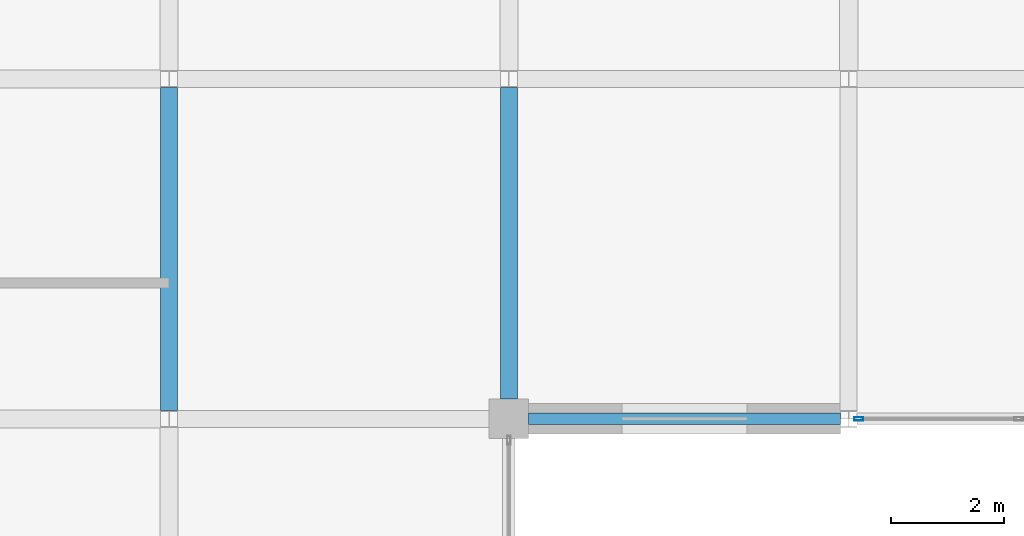
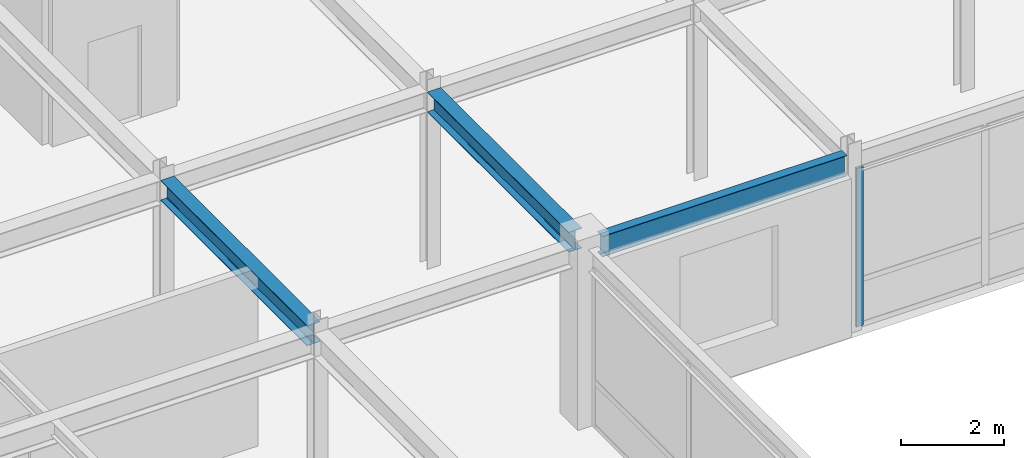
# One storey, part 31 of 108: 3 beams, 1 member, 1 element without a shape of its own.
"""IFC4 building model written with IfcOpenShell, lengths in metres."""

from ifc_helpers import new_model, si_unit, direction, frame, origin, origin_2d, place, context, subcontext, project, spatial, hollow_rectangle, i_section, extrude, material, layer, layer_set, material_profile, profile_set, type_object, element, aggregate, save


model = new_model("IFC4")

# Units and contexts
model_context = context("Model", 3, precision=1e-05, world=origin(), true_north=direction((0.0, 1.0)))
body_context = subcontext(model_context, "Body", "Model", "MODEL_VIEW")
ifc_project = project(units=[si_unit("LENGTHUNIT", "METRE"), si_unit("AREAUNIT", "SQUARE_METRE"), si_unit("VOLUMEUNIT", "CUBIC_METRE"), si_unit("PLANEANGLEUNIT", "RADIAN"), si_unit("MASSUNIT", "GRAM", prefix="KILO")], contexts=[model_context])

# Site, building, storey
site_placement = place(None, origin())
site = spatial("IfcSite", under=ifc_project, at=site_placement, CompositionType="ELEMENT")
building_placement = place(site_placement, origin())
building = spatial("IfcBuilding", under=site, at=building_placement, Name="Zlatovratsky Civic Hall", CompositionType="ELEMENT")
storey_placement = place(building_placement, frame((0.0, 0.0, 12.0)))
storey = spatial("IfcBuildingStorey", under=building, at=storey_placement, Name="L03", CompositionType="ELEMENT", Elevation=12.0)

# Beams
ifc_material_1 = material(Name="Steel S355", Category="steel")
ifc_material_profile_1 = material_profile(ifc_material_1, i_section(OverallWidth=0.300048828125, OverallDepth=0.48193359375, WebThickness=0.010986328125, FlangeThickness=0.014892578125, FilletRadius=0.02392578125, at=origin_2d()), Name="50Sh1")
ifc_profile_set_1 = profile_set([ifc_material_profile_1], Name="Steel S355")
beam_type_1 = type_object("IfcBeamType", Name="Beam_LibraryGirder_50Sh1", PredefinedType="BEAM", material=ifc_profile_set_1)
beam_1_placement = place(storey_placement, frame((48.0, 12.14794921875, 3.97900390625), z_axis=(0.0, 1.0, 0.0), x_axis=(-1.0, 0.0, 0.0)))
element("IfcBeam", 1, at=beam_1_placement, inside=storey, type_object=beam_type_1, Name="BM-2867", PredefinedType="BEAM", context=body_context, shape_type="SweptSolid", body=[
    extrude(i_section(OverallWidth=0.300048828125, OverallDepth=0.48193359375, WebThickness=0.010986328125, FlangeThickness=0.014892578125, FilletRadius=0.02392578125, at=origin_2d()), origin(), (0.0, 0.0, 1.0), 5.7041015625),
])
beam_2_placement = place(storey_placement, frame((54.0, 12.35009765625, 3.97900390625), z_axis=(0.0, 1.0, 0.0), x_axis=(-1.0, 0.0, 0.0)))
element("IfcBeam", 2, at=beam_2_placement, inside=storey, type_object=beam_type_1, Name="BM-2884", PredefinedType="BEAM", context=body_context, shape_type="SweptSolid", body=[
    extrude(i_section(OverallWidth=0.300048828125, OverallDepth=0.48193359375, WebThickness=0.010986328125, FlangeThickness=0.014892578125, FilletRadius=0.02392578125, at=origin_2d()), origin(), (0.0, 0.0, 1.0), 5.501953125),
])
ifc_material_profile_2 = material_profile(ifc_material_1, i_section(OverallWidth=0.198974609375, OverallDepth=0.491943359375, WebThickness=0.0087890625, FlangeThickness=0.011962890625, FilletRadius=0.01611328125, at=origin_2d()), Name="50B1")
ifc_profile_set_2 = profile_set([ifc_material_profile_2], Name="Steel S355")
beam_type_2 = type_object("IfcBeamType", Name="Beam_Spandrel_50B1", PredefinedType="SPANDREL", material=ifc_profile_set_2)
beam_3_placement = place(storey_placement, frame((54.35009765625, 12.0, 3.97412109375), z_axis=(1.0, 0.0, 0.0), x_axis=(0.0, 1.0, 0.0)))
element("IfcBeam", 3, at=beam_3_placement, inside=storey, type_object=beam_type_2, Name="BM-2487", PredefinedType="SPANDREL", context=body_context, shape_type="SweptSolid", body=[
    extrude(i_section(OverallWidth=0.198974609375, OverallDepth=0.491943359375, WebThickness=0.0087890625, FlangeThickness=0.011962890625, FilletRadius=0.01611328125, at=origin_2d()), origin(), (0.0, 0.0, 1.0), 5.50048828125),
])

# Curtain wall, member
ifc_material_2 = material(Name="Anodised bronze aluminium", Category="aluminium")
ifc_layer = layer(ifc_material_2, 0.159912109375)
ifc_layer_set = layer_set([ifc_layer], Name="Anodised bronze aluminium")
curtain_wall_type = type_object("IfcCurtainWallType", Name="CurtainWall_Bronze_5700x3770_08", PredefinedType="NOTDEFINED", material=ifc_layer_set)
curtain_wall_placement = place(storey_placement, origin())
curtain_wall = element("IfcCurtainWall", 4, at=curtain_wall_placement, inside=storey, type_object=curtain_wall_type, Name="CW-047", PredefinedType="NOTDEFINED")
ifc_material_profile_3 = material_profile(ifc_material_2, hollow_rectangle(XDim=0.06005859375, YDim=0.159912109375, WallThickness=0.00390625, at=origin_2d()), Name="ALU 60x160x4")
ifc_profile_set_3 = profile_set([ifc_material_profile_3], Name="Anodised bronze aluminium")
member_type = type_object("IfcMemberType", Name="CW_Mullion_60x160", PredefinedType="MULLION", material=ifc_profile_set_3)
member_placement = place(storey_placement, frame((60.179443359375, 12.0, 0.0), z_axis=(0.0, 0.0, 1.0), x_axis=(0.0, 1.0, 0.0)))
member = element("IfcMember", 5, at=member_placement, type_object=member_type, Name="CW-08 mullion 1", PredefinedType="MULLION", context=body_context, shape_type="SweptSolid", body=[
    extrude(hollow_rectangle(XDim=0.06005859375, YDim=0.159912109375, WallThickness=0.00390625, at=origin_2d()), origin(), (0.0, 0.0, 1.0), 3.77001953125),
])
aggregate(curtain_wall, [member])

save(model, "model.ifc")
